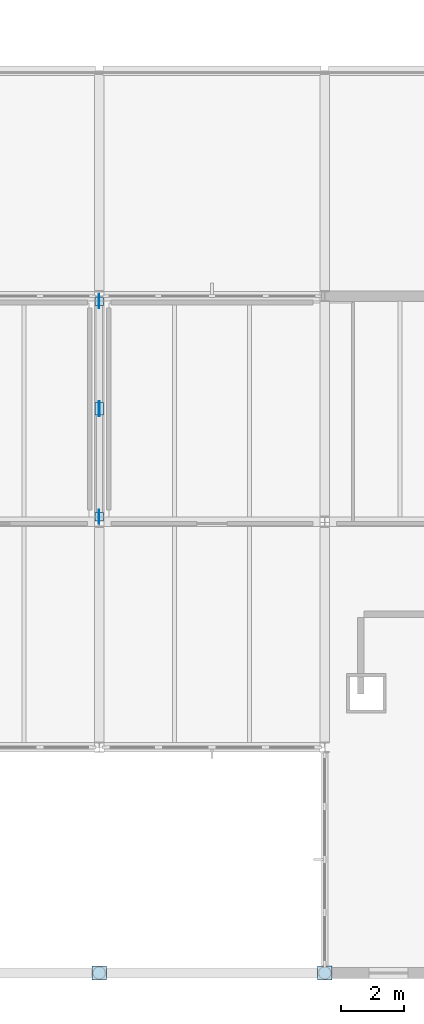
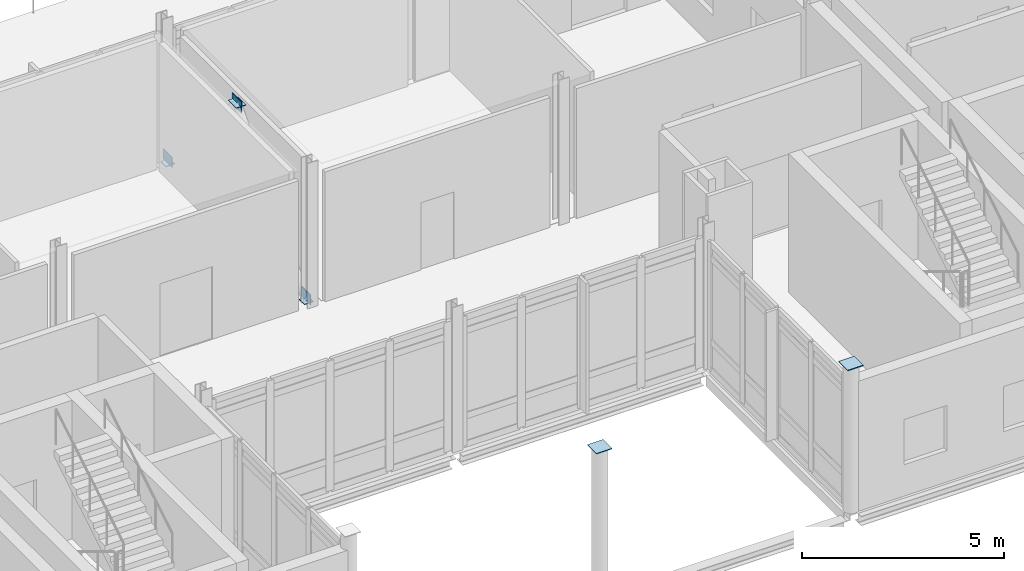
# One storey, part 30 of 53: 8 plates.
"""IFC4 building model written with IfcOpenShell, lengths in metres."""

from ifc_helpers import new_model, si_unit, direction, frame, origin, origin_2d, place, context, subcontext, project, spatial, rectangle, extrude, material, layer, layer_set, type_object, element, save


model = new_model("IFC4")

# Units and contexts
model_context = context("Model", 3, precision=1e-05, world=origin(), true_north=direction((0.0, 1.0)))
body_context = subcontext(model_context, "Body", "Model", "MODEL_VIEW")
ifc_project = project(units=[si_unit("LENGTHUNIT", "METRE"), si_unit("AREAUNIT", "SQUARE_METRE"), si_unit("VOLUMEUNIT", "CUBIC_METRE"), si_unit("PLANEANGLEUNIT", "RADIAN"), si_unit("MASSUNIT", "GRAM", prefix="KILO")], contexts=[model_context])

# Site, building, storey
site_placement = place(None, origin())
site = spatial("IfcSite", under=ifc_project, at=site_placement, CompositionType="ELEMENT")
building_placement = place(site_placement, origin())
building = spatial("IfcBuilding", under=site, at=building_placement, Name="Zarrinpeak Specialist Clinic", CompositionType="ELEMENT")
storey_placement = place(building_placement, frame((0.0, 0.0, 14.0)))
storey = spatial("IfcBuildingStorey", under=building, at=storey_placement, Name="L03", CompositionType="ELEMENT", Elevation=14.0)

# Plates
ifc_material = material(Name="Steel S355", Category="steel")
ifc_layer_1 = layer(ifc_material, 0.01611328125)
ifc_layer_set_1 = layer_set([ifc_layer_1], Name="Steel S355")
plate_type_1 = type_object("IfcPlateType", Name="PL-CAP219", PredefinedType="SHEET", material=ifc_layer_set_1)
for number, where, z_axis, x_axis, name in (
    (1, (43.199951171875, 14.56005859375, 0.0009765625), (0.0, 0.0, 1.0), (1.0, 0.0, 0.0), "V2 L03 Hollow Brace Foot Cap Plate A"),
    (2, (43.199951171875, 21.43994140625, 0.0009765625), (0.0, 0.0, 1.0), (1.0, 0.0, 0.0), "V2 L03 Hollow Brace Foot Cap Plate B"),
):
    element("IfcPlate", number, at=place(storey_placement, frame(where, z_axis=z_axis, x_axis=x_axis)), inside=storey, type_object=plate_type_1, Name=name, PredefinedType="SHEET", context=body_context, shape_type="SweptSolid", body=[
        extrude(rectangle(XDim=0.260009765625, YDim=0.260009765625, at=origin_2d()), origin(), (0.0, 0.0, 1.0), 0.01611328125),
    ])
ifc_layer_2 = layer(ifc_material, 0.02197265625)
ifc_layer_set_2 = layer_set([ifc_layer_2], Name="Steel S355")
plate_type_2 = type_object("IfcPlateType", Name="PL-CAP406", PredefinedType="SHEET", material=ifc_layer_set_2)
for number, where, z_axis, x_axis, name in (
    (3, (43.199951171875, 0.0, 4.39599609375), (0.0, 0.0, 1.0), (1.0, 0.0, 0.0), "L03 Hollow Column Top Cap Plate CCAP-T-124"),
    (4, (50.39990234375, 0.0, 4.39599609375), (0.0, 0.0, 1.0), (1.0, 0.0, 0.0), "L03 Hollow Column Top Cap Plate CCAP-T-125"),
):
    element("IfcPlate", number, at=place(storey_placement, frame(where, z_axis=z_axis, x_axis=x_axis)), inside=storey, type_object=plate_type_2, Name=name, PredefinedType="SHEET", context=body_context, shape_type="SweptSolid", body=[
        extrude(rectangle(XDim=0.449951171875, YDim=0.449951171875, at=origin_2d()), origin(), (0.0, 0.0, 1.0), 0.02197265625),
    ])
ifc_layer_3 = layer(ifc_material, 0.02001953125)
ifc_layer_set_3 = layer_set([ifc_layer_3], Name="Steel S355")
plate_type_3 = type_object("IfcPlateType", Name="PL-GN01", PredefinedType="SHEET", material=ifc_layer_set_3)
plate_1_placement = place(storey_placement, frame((43.199951171875, 18.0, 3.73974609375), z_axis=(0.0, 0.0, 1.0), x_axis=(1.0, 0.0, 0.0)))
element("IfcPlate", 5, at=plate_1_placement, inside=storey, type_object=plate_type_3, Name="V2 L03 Chevron Gusset Node Plate GN-V2-L03", PredefinedType="SHEET", context=body_context, shape_type="SweptSolid", body=[
    extrude(rectangle(XDim=0.02001953125, YDim=0.47998046875, at=origin_2d()), origin(), (0.0, 0.0, 1.0), 0.340087890625),
])
ifc_layer_4 = layer(ifc_material, 0.01611328125)
ifc_layer_set_4 = layer_set([ifc_layer_4], Name="Steel S355")
plate_type_4 = type_object("IfcPlateType", Name="PL-GN02", PredefinedType="SHEET", material=ifc_layer_set_4)
plate_2_placement = place(storey_placement, frame((43.199951171875, 18.0, 3.907958984375), z_axis=(0.0, 0.0, 1.0), x_axis=(1.0, 0.0, 0.0)))
element("IfcPlate", 6, at=plate_2_placement, inside=storey, type_object=plate_type_4, Name="V2 L03 Chevron Apex Seal Plate GNCAP-V2-L03", PredefinedType="SHEET", context=body_context, shape_type="SweptSolid", body=[
    extrude(rectangle(XDim=0.280029296875, YDim=0.39990234375, at=origin_2d()), origin(), (0.0, 0.0, 1.0), 0.01611328125),
])
ifc_layer_5 = layer(ifc_material, 0.01806640625)
ifc_layer_set_5 = layer_set([ifc_layer_5], Name="Steel S355")
plate_type_5 = type_object("IfcPlateType", Name="PL-GN03", PredefinedType="SHEET", material=ifc_layer_set_5)
for number, where, z_axis, x_axis, name in (
    (7, (43.199951171875, 14.56005859375, 0.0048828125), (0.0, 0.0, 1.0), (1.0, 0.0, 0.0), "V2 L03 Brace Foot Gusset Plate GNF-V2-L03-A"),
    (8, (43.199951171875, 21.43994140625, 0.0048828125), (0.0, 0.0, 1.0), (1.0, 0.0, 0.0), "V2 L03 Brace Foot Gusset Plate GNF-V2-L03-B"),
):
    element("IfcPlate", number, at=place(storey_placement, frame(where, z_axis=z_axis, x_axis=x_axis)), inside=storey, type_object=plate_type_5, Name=name, PredefinedType="SHEET", context=body_context, shape_type="SweptSolid", body=[
        extrude(rectangle(XDim=0.01806640625, YDim=0.43994140625, at=origin_2d()), origin(), (0.0, 0.0, 1.0), 0.31005859375),
    ])

save(model, "model.ifc")
